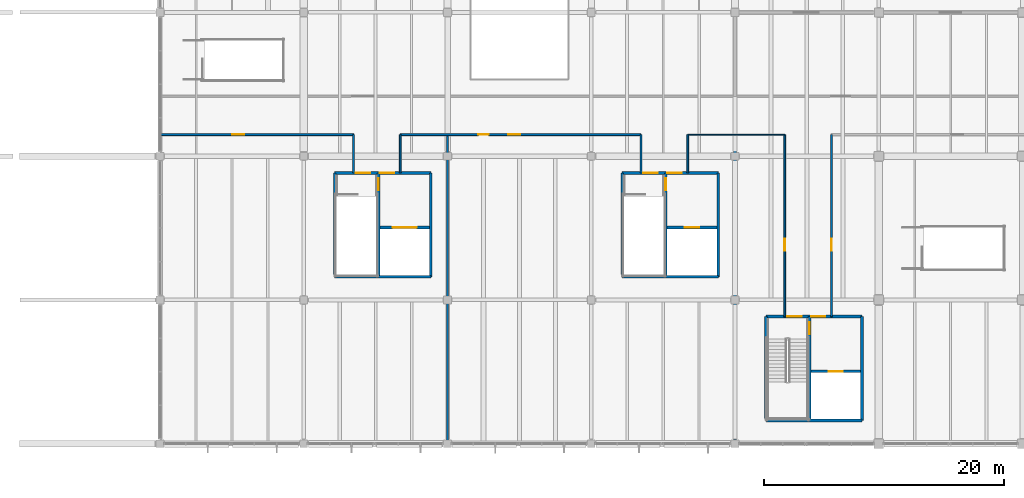
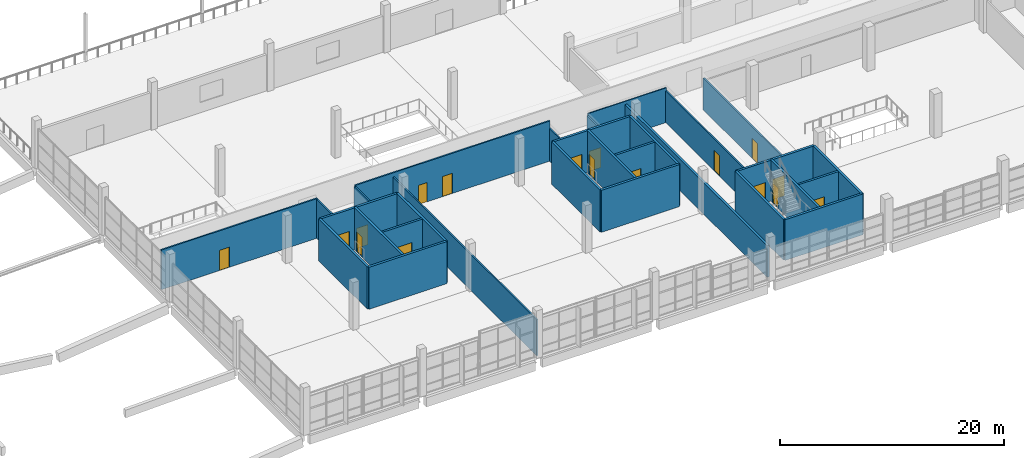
# One storey, part 77 of 112: 29 walls, 17 doors, 17 openings.
"""IFC4 building model written with IfcOpenShell, lengths in metres."""

from ifc_helpers import new_model, si_unit, direction, frame, frame_2d, origin, place, context, subcontext, project, spatial, rectangle, extrude, material, layer, layer_set, type_object, element, fill, save


model = new_model("IFC4")

# Units and contexts
model_context = context("Model", 3, precision=1e-05, world=origin(), true_north=direction((0.0, 1.0)))
body_context = subcontext(model_context, "Body", "Model", "MODEL_VIEW")
ifc_project = project(units=[si_unit("LENGTHUNIT", "METRE"), si_unit("AREAUNIT", "SQUARE_METRE"), si_unit("VOLUMEUNIT", "CUBIC_METRE"), si_unit("PLANEANGLEUNIT", "RADIAN"), si_unit("MASSUNIT", "GRAM", prefix="KILO")], contexts=[model_context])

# Site, building, storey
site_placement = place(None, origin())
site = spatial("IfcSite", under=ifc_project, at=site_placement, CompositionType="ELEMENT")
building_placement = place(site_placement, origin())
building = spatial("IfcBuilding", under=site, at=building_placement, Name="Kamomehara Wholesale Market", CompositionType="ELEMENT")
storey_placement = place(building_placement, frame((0.0, 0.0, 6.60009765625)))
storey = spatial("IfcBuildingStorey", under=building, at=storey_placement, Name="L01", CompositionType="ELEMENT", Elevation=6.60009765625)

# Wall
ifc_material_1 = material(Name="Gypsum board partition")
ifc_layer_1 = layer(ifc_material_1, 0.10009765625)
ifc_layer_set_1 = layer_set([ifc_layer_1], Name="Gypsum board partition")
wall_type_1 = type_object("IfcWallType", Name="IW-PRT-100", PredefinedType="PARTITIONING", material=ifc_layer_set_1)
wall_1_placement = place(storey_placement, frame((104.050048828125, 37.800048828125, 0.0), z_axis=(0.0, 0.0, 1.0), x_axis=(1.0, 0.0, 0.0)))
element("IfcWall", 1, at=wall_1_placement, inside=storey, type_object=wall_type_1, Name="Interior wall IW-PRT-100 318", PredefinedType="PARTITIONING", context=body_context, shape_type="SweptSolid", body=[
    extrude(rectangle(XDim=8.099853515625, YDim=0.10009765625, at=frame_2d((4.0498046875, 0.0))), origin(), (0.0, 0.0, 1.0), 3.782958984375),
])

# Wall, opening, door
ifc_material_2 = material(Name="Gypsum board partition")
ifc_layer_2 = layer(ifc_material_2, 0.14990234375)
ifc_layer_set_2 = layer_set([ifc_layer_2], Name="Gypsum board partition")
wall_type_2 = type_object("IfcWallType", Name="IW-PRT-150", PredefinedType="PARTITIONING", material=ifc_layer_set_2)
wall_2_placement = place(storey_placement, frame((60.0400390625, 37.800048828125, 0.0), z_axis=(0.0, 0.0, 1.0), x_axis=(1.0, 0.0, 0.0)))
wall_2 = element("IfcWall", 2, at=wall_2_placement, inside=storey, type_object=wall_type_2, Name="Interior wall IW-PRT-150 312", PredefinedType="PARTITIONING", context=body_context, shape_type="SweptSolid", body=[
    extrude(rectangle(XDim=16.10986328125, YDim=0.14990234375, at=frame_2d((8.054931640625, 0.0))), origin(), (0.0, 0.0, 1.0), 4.3349609375),
])
opening_1_placement = place(wall_2_placement, frame((6.0, 0.0, 0.0)))
opening_1 = element("IfcOpeningElement", 3, at=opening_1_placement, cuts=wall_2, Name="Opening ID-L01-195", PredefinedType="OPENING", context=body_context, shape_type="SweptSolid", body=[
    extrude(rectangle(XDim=1.0, YDim=2.199951171875, at=frame_2d((0.5, 1.10009765625))), frame((0.0, 0.08984375, 0.0), z_axis=(0.0, -1.0, 0.0), x_axis=(1.0, 0.0, 0.0)), (0.0, 0.0, 1.0), 0.1796875),
])
ifc_material_3 = material(Name="Anodised aluminium 6063-T5", Category="aluminium")
door_type_1 = type_object("IfcDoorType", Name="IDR-RM-1000x2200", OperationType="NOTDEFINED", PredefinedType="DOOR", material=ifc_material_3)
door_1_placement = place(opening_1_placement, origin())
door_1 = element("IfcDoor", 4, at=door_1_placement, inside=storey, type_object=door_type_1, Name="Interior door ID-L01-195", OperationType="SINGLE_SWING_LEFT", OverallHeight=2.199951171875, OverallWidth=1.0, PredefinedType="DOOR", context=body_context, shape_type="SweptSolid", body=[
    extrude(rectangle(XDim=1.0, YDim=2.199951171875, at=frame_2d((0.5, 1.10009765625))), frame((0.0, 0.02490234375, 0.0), z_axis=(0.0, -1.0, 0.0), x_axis=(1.0, 0.0, 0.0)), (0.0, 0.0, 1.0), 0.050048828125),
])
fill(opening_1, door_1)

# Wall
wall_3_placement = place(storey_placement, frame((80.050048828125, 34.60009765625, 0.0), z_axis=(0.0, 0.0, 1.0), x_axis=(0.0, 1.0, 0.0)))
element("IfcWall", 5, at=wall_3_placement, inside=storey, type_object=wall_type_2, Name="Interior wall IW-PRT-150 314", PredefinedType="PARTITIONING", context=body_context, shape_type="SweptSolid", body=[
    extrude(rectangle(XDim=3.199951171875, YDim=0.14990234375, at=frame_2d((1.60009765625, 0.0))), origin(), (0.0, 0.0, 1.0), 4.23486328125),
])

# Wall, openings, doors
wall_4_placement = place(storey_placement, frame((80.050048828125, 37.800048828125, 0.0), z_axis=(0.0, 0.0, 1.0), x_axis=(1.0, 0.0, 0.0)))
wall_4 = element("IfcWall", 6, at=wall_4_placement, inside=storey, type_object=wall_type_2, Name="Interior wall IW-PRT-150 315", PredefinedType="PARTITIONING", context=body_context, shape_type="SweptSolid", body=[
    extrude(rectangle(XDim=20.099853515625, YDim=0.14990234375, at=frame_2d((10.0498046875, 0.0))), origin(), (0.0, 0.0, 1.0), 4.385009765625),
])
opening_2_placement = place(wall_4_placement, frame((6.5, 0.0, 0.0)))
opening_2 = element("IfcOpeningElement", 7, at=opening_2_placement, cuts=wall_4, Name="Opening ID-L01-196", PredefinedType="OPENING", context=body_context, shape_type="SweptSolid", body=[
    extrude(rectangle(XDim=0.89990234375, YDim=2.10009765625, at=frame_2d((0.449951171875, 1.050048828125))), frame((0.0, 0.08984375, 0.0), z_axis=(0.0, -1.0, 0.0), x_axis=(1.0, 0.0, 0.0)), (0.0, 0.0, 1.0), 0.1796875),
])
opening_3_placement = place(wall_4_placement, frame((9.0, 0.0, 0.0)))
opening_3 = element("IfcOpeningElement", 8, at=opening_3_placement, cuts=wall_4, Name="Opening ID-L01-197", PredefinedType="OPENING", context=body_context, shape_type="SweptSolid", body=[
    extrude(rectangle(XDim=1.0, YDim=2.199951171875, at=frame_2d((0.5, 1.10009765625))), frame((0.0, 0.08984375, 0.0), z_axis=(0.0, -1.0, 0.0), x_axis=(1.0, 0.0, 0.0)), (0.0, 0.0, 1.0), 0.1796875),
])
door_2_placement = place(opening_3_placement, origin())
door_2 = element("IfcDoor", 9, at=door_2_placement, inside=storey, type_object=door_type_1, Name="Interior door ID-L01-197", OperationType="SINGLE_SWING_LEFT", OverallHeight=2.199951171875, OverallWidth=1.0, PredefinedType="DOOR", context=body_context, shape_type="SweptSolid", body=[
    extrude(rectangle(XDim=1.0, YDim=2.199951171875, at=frame_2d((0.5, 1.10009765625))), frame((0.0, 0.02490234375, 0.0), z_axis=(0.0, -1.0, 0.0), x_axis=(1.0, 0.0, 0.0)), (0.0, 0.0, 1.0), 0.050048828125),
])
fill(opening_3, door_2)
ifc_material_4 = material(Name="Anodised aluminium 6063-T5", Category="aluminium")
door_type_2 = type_object("IfcDoorType", Name="IDR-RM-900x2100", OperationType="NOTDEFINED", PredefinedType="DOOR", material=ifc_material_4)
door_3_placement = place(opening_2_placement, origin())
door_3 = element("IfcDoor", 10, at=door_3_placement, inside=storey, type_object=door_type_2, Name="Interior door ID-L01-196", OperationType="SINGLE_SWING_RIGHT", OverallHeight=2.10009765625, OverallWidth=0.89990234375, PredefinedType="DOOR", context=body_context, shape_type="SweptSolid", body=[
    extrude(rectangle(XDim=0.89990234375, YDim=2.10009765625, at=frame_2d((0.449951171875, 1.050048828125))), frame((0.0, 0.02490234375, 0.0), z_axis=(0.0, -1.0, 0.0), x_axis=(1.0, 0.0, 0.0)), (0.0, 0.0, 1.0), 0.050048828125),
])
fill(opening_2, door_3)

# Walls
for number, where, z_axis, x_axis, name in (
    (11, (100.14990234375, 34.60009765625, 0.0), (0.0, 0.0, 1.0), (0.0, 1.0, 0.0), "Interior wall IW-PRT-150 316"),
    (12, (104.050048828125, 34.60009765625, 0.0), (0.0, 0.0, 1.0), (0.0, 1.0, 0.0), "Interior wall IW-PRT-150 317"),
):
    element("IfcWall", number, at=place(storey_placement, frame(where, z_axis=z_axis, x_axis=x_axis)), inside=storey, type_object=wall_type_2, Name=name, PredefinedType="PARTITIONING", context=body_context, shape_type="SweptSolid", body=[
        extrude(rectangle(XDim=3.199951171875, YDim=0.14990234375, at=frame_2d((1.60009765625, 0.0))), origin(), (0.0, 0.0, 1.0), 3.573974609375),
    ])

# Wall, opening, door
wall_5_placement = place(storey_placement, frame((112.14990234375, 22.60009765625, 0.0), z_axis=(0.0, 0.0, 1.0), x_axis=(0.0, 1.0, 0.0)))
wall_5 = element("IfcWall", 13, at=wall_5_placement, inside=storey, type_object=wall_type_2, Name="Interior wall IW-PRT-150 319", PredefinedType="PARTITIONING", context=body_context, shape_type="SweptSolid", body=[
    extrude(rectangle(XDim=15.199951171875, YDim=0.14990234375, at=frame_2d((7.60009765625, 0.0))), origin(), (0.0, 0.0, 1.0), 3.462890625),
])
opening_4_placement = place(wall_5_placement, frame((5.5, 0.0, 0.0)))
opening_4 = element("IfcOpeningElement", 14, at=opening_4_placement, cuts=wall_5, Name="Opening ID-L01-198", PredefinedType="OPENING", context=body_context, shape_type="SweptSolid", body=[
    extrude(rectangle(XDim=1.0, YDim=2.199951171875, at=frame_2d((0.5, 1.10009765625))), frame((0.0, 0.08984375, 0.0), z_axis=(0.0, -1.0, 0.0), x_axis=(1.0, 0.0, 0.0)), (0.0, 0.0, 1.0), 0.1796875),
])
door_4_placement = place(opening_4_placement, origin())
door_4 = element("IfcDoor", 15, at=door_4_placement, inside=storey, type_object=door_type_1, Name="Interior door ID-L01-198", OperationType="SINGLE_SWING_RIGHT", OverallHeight=2.199951171875, OverallWidth=1.0, PredefinedType="DOOR", context=body_context, shape_type="SweptSolid", body=[
    extrude(rectangle(XDim=1.0, YDim=2.199951171875, at=frame_2d((0.5, 1.10009765625))), frame((0.0, 0.02490234375, 0.0), z_axis=(0.0, -1.0, 0.0), x_axis=(1.0, 0.0, 0.0)), (0.0, 0.0, 1.0), 0.050048828125),
])
fill(opening_4, door_4)

wall_6_placement = place(storey_placement, frame((116.050048828125, 22.60009765625, 0.0), z_axis=(0.0, 0.0, 1.0), x_axis=(0.0, 1.0, 0.0)))
wall_6 = element("IfcWall", 16, at=wall_6_placement, inside=storey, type_object=wall_type_2, Name="Interior wall IW-PRT-150 320", PredefinedType="PARTITIONING", context=body_context, shape_type="SweptSolid", body=[
    extrude(rectangle(XDim=15.199951171875, YDim=0.14990234375, at=frame_2d((7.60009765625, 0.0))), origin(), (0.0, 0.0, 1.0), 3.462890625),
])
opening_5_placement = place(wall_6_placement, frame((5.5, 0.0, 0.0)))
opening_5 = element("IfcOpeningElement", 17, at=opening_5_placement, cuts=wall_6, Name="Opening ID-L01-199", PredefinedType="OPENING", context=body_context, shape_type="SweptSolid", body=[
    extrude(rectangle(XDim=1.0, YDim=2.199951171875, at=frame_2d((0.5, 1.10009765625))), frame((0.0, 0.08984375, 0.0), z_axis=(0.0, -1.0, 0.0), x_axis=(1.0, 0.0, 0.0)), (0.0, 0.0, 1.0), 0.1796875),
])
door_5_placement = place(opening_5_placement, origin())
door_5 = element("IfcDoor", 18, at=door_5_placement, inside=storey, type_object=door_type_1, Name="Interior door ID-L01-199", OperationType="SINGLE_SWING_LEFT", OverallHeight=2.199951171875, OverallWidth=1.0, PredefinedType="DOOR", context=body_context, shape_type="SweptSolid", body=[
    extrude(rectangle(XDim=1.0, YDim=2.199951171875, at=frame_2d((0.5, 1.10009765625))), frame((0.0, 0.02490234375, 0.0), z_axis=(0.0, -1.0, 0.0), x_axis=(1.0, 0.0, 0.0)), (0.0, 0.0, 1.0), 0.050048828125),
])
fill(opening_5, door_5)

# Walls
wall_7_placement = place(storey_placement, frame((84.0, 12.0400390625, 0.0), z_axis=(0.0, 0.0, 1.0), x_axis=(0.0, 1.0, 0.0)))
element("IfcWall", 19, at=wall_7_placement, inside=storey, type_object=wall_type_2, Name="Interior wall IW-PRT-150 326", PredefinedType="PARTITIONING", context=body_context, shape_type="SweptSolid", body=[
    extrude(rectangle(XDim=25.760009765625, YDim=0.14990234375, at=frame_2d((12.8798828125, 0.0))), origin(), (0.0, 0.0, 1.0), 3.934814453125),
])
ifc_material_5 = material(Name="Gypsum board partition")
ifc_layer_3 = layer(ifc_material_5, 0.175048828125)
ifc_layer_set_3 = layer_set([ifc_layer_3], Name="Gypsum board partition")
wall_type_3 = type_object("IfcWallType", Name="IW-PRT-175", PredefinedType="PARTITIONING", material=ifc_layer_set_3)
wall_8_placement = place(storey_placement, frame((76.14990234375, 34.60009765625, 0.0), z_axis=(0.0, 0.0, 1.0), x_axis=(0.0, 1.0, 0.0)))
element("IfcWall", 20, at=wall_8_placement, inside=storey, type_object=wall_type_3, Name="Interior wall IW-PRT-175 313", PredefinedType="PARTITIONING", context=body_context, shape_type="SweptSolid", body=[
    extrude(rectangle(XDim=3.199951171875, YDim=0.175048828125, at=frame_2d((1.60009765625, 0.0))), origin(), (0.0, 0.0, 1.0), 4.23486328125),
])

# Wall, opening, door
ifc_material_6 = material(Name="Concrete Fc36 (C35/45)", Category="concrete")
ifc_layer_4 = layer(ifc_material_6, 0.219970703125)
ifc_layer_set_4 = layer_set([ifc_layer_4], Name="Concrete Fc36 (C35/45)")
wall_type_4 = type_object("IfcWallType", Name="IW-SHR-220", PredefinedType="SHEAR", material=ifc_layer_set_4)
wall_9_placement = place(storey_placement, frame((78.340087890625, 30.0400390625, 0.0), z_axis=(0.0, 0.0, 1.0), x_axis=(1.0, 0.0, 0.0)))
wall_9 = element("IfcWall", 21, at=wall_9_placement, inside=storey, type_object=wall_type_4, Name="Interior wall IW-SHR-220 72", PredefinedType="SHEAR", context=body_context, shape_type="SweptSolid", body=[
    extrude(rectangle(XDim=4.139892578125, YDim=0.219970703125, at=frame_2d((2.06982421875, 0.0))), origin(), (0.0, 0.0, 1.0), 4.58984375),
])
opening_6_placement = place(wall_9_placement, frame((1.070068359375, 0.0, 0.0)))
opening_6 = element("IfcOpeningElement", 22, at=opening_6_placement, cuts=wall_9, Name="Opening LD-LF-04-L01", PredefinedType="OPENING", context=body_context, shape_type="SweptSolid", body=[
    extrude(rectangle(XDim=2.0, YDim=2.39990234375, at=frame_2d((1.0, 1.199951171875))), frame((0.0, 0.125, 0.0), z_axis=(0.0, -1.0, 0.0), x_axis=(1.0, 0.0, 0.0)), (0.0, 0.0, 1.0), 0.249755859375),
])
ifc_material_7 = material(Name="Steel SN400B", Category="steel")
door_type_3 = type_object("IfcDoorType", Name="LDR-GDS-2000x2400", OperationType="DOUBLE_DOOR_SLIDING", PredefinedType="DOOR", material=ifc_material_7)
door_6_placement = place(opening_6_placement, origin())
door_6 = element("IfcDoor", 23, at=door_6_placement, inside=storey, type_object=door_type_3, Name="Lift sliding landing door LD-LF-04-L01", OperationType="DOUBLE_DOOR_SLIDING", OverallHeight=2.39990234375, OverallWidth=2.0, PredefinedType="DOOR", context=body_context, shape_type="SweptSolid", body=[
    extrude(rectangle(XDim=2.0, YDim=2.39990234375, at=frame_2d((1.0, 1.199951171875))), frame((0.0, 0.02490234375, 0.0), z_axis=(0.0, -1.0, 0.0), x_axis=(1.0, 0.0, 0.0)), (0.0, 0.0, 1.0), 0.050048828125),
])
fill(opening_6, door_6)

wall_10_placement = place(storey_placement, frame((102.340087890625, 30.0400390625, 0.0), z_axis=(0.0, 0.0, 1.0), x_axis=(1.0, 0.0, 0.0)))
wall_10 = element("IfcWall", 24, at=wall_10_placement, inside=storey, type_object=wall_type_4, Name="Interior wall IW-SHR-220 84", PredefinedType="SHEAR", context=body_context, shape_type="SweptSolid", body=[
    extrude(rectangle(XDim=4.139892578125, YDim=0.219970703125, at=frame_2d((2.06982421875, 0.0))), origin(), (0.0, 0.0, 1.0), 4.58984375),
])
opening_7_placement = place(wall_10_placement, frame((1.469970703125, 0.0, 0.0)))
opening_7 = element("IfcOpeningElement", 25, at=opening_7_placement, cuts=wall_10, Name="Opening LD-LP-02-L01", PredefinedType="OPENING", context=body_context, shape_type="SweptSolid", body=[
    extrude(rectangle(XDim=1.199951171875, YDim=2.199951171875, at=frame_2d((0.60009765625, 1.10009765625))), frame((0.0, 0.125, 0.0), z_axis=(0.0, -1.0, 0.0), x_axis=(1.0, 0.0, 0.0)), (0.0, 0.0, 1.0), 0.249755859375),
])
ifc_material_8 = material(Name="Steel SN400B", Category="steel")
door_type_4 = type_object("IfcDoorType", Name="LDR-PAX-1200x2200", OperationType="DOUBLE_DOOR_SLIDING", PredefinedType="DOOR", material=ifc_material_8)
door_7_placement = place(opening_7_placement, origin())
door_7 = element("IfcDoor", 26, at=door_7_placement, inside=storey, type_object=door_type_4, Name="Lift sliding landing door LD-LP-02-L01", OperationType="DOUBLE_DOOR_SLIDING", OverallHeight=2.199951171875, OverallWidth=1.199951171875, PredefinedType="DOOR", context=body_context, shape_type="SweptSolid", body=[
    extrude(rectangle(XDim=1.199951171875, YDim=2.199951171875, at=frame_2d((0.60009765625, 1.10009765625))), frame((0.0, 0.02490234375, 0.0), z_axis=(0.0, -1.0, 0.0), x_axis=(1.0, 0.0, 0.0)), (0.0, 0.0, 1.0), 0.050048828125),
])
fill(opening_7, door_7)

wall_11_placement = place(storey_placement, frame((114.340087890625, 18.0400390625, 0.0), z_axis=(0.0, 0.0, 1.0), x_axis=(1.0, 0.0, 0.0)))
wall_11 = element("IfcWall", 27, at=wall_11_placement, inside=storey, type_object=wall_type_4, Name="Interior wall IW-SHR-220 96", PredefinedType="SHEAR", context=body_context, shape_type="SweptSolid", body=[
    extrude(rectangle(XDim=4.139892578125, YDim=0.219970703125, at=frame_2d((2.06982421875, 0.0))), origin(), (0.0, 0.0, 1.0), 4.449951171875),
])
opening_8_placement = place(wall_11_placement, frame((1.469970703125, 0.0, 0.0)))
opening_8 = element("IfcOpeningElement", 28, at=opening_8_placement, cuts=wall_11, Name="Opening LD-LP-03-L01", PredefinedType="OPENING", context=body_context, shape_type="SweptSolid", body=[
    extrude(rectangle(XDim=1.199951171875, YDim=2.199951171875, at=frame_2d((0.60009765625, 1.10009765625))), frame((0.0, 0.125, 0.0), z_axis=(0.0, -1.0, 0.0), x_axis=(1.0, 0.0, 0.0)), (0.0, 0.0, 1.0), 0.249755859375),
])
door_8_placement = place(opening_8_placement, origin())
door_8 = element("IfcDoor", 29, at=door_8_placement, inside=storey, type_object=door_type_4, Name="Lift sliding landing door LD-LP-03-L01", OperationType="DOUBLE_DOOR_SLIDING", OverallHeight=2.199951171875, OverallWidth=1.199951171875, PredefinedType="DOOR", context=body_context, shape_type="SweptSolid", body=[
    extrude(rectangle(XDim=1.199951171875, YDim=2.199951171875, at=frame_2d((0.60009765625, 1.10009765625))), frame((0.0, 0.02490234375, 0.0), z_axis=(0.0, -1.0, 0.0), x_axis=(1.0, 0.0, 0.0)), (0.0, 0.0, 1.0), 0.050048828125),
])
fill(opening_8, door_8)

# Walls
ifc_material_9 = material(Name="Concrete Fc36 (C35/45)", Category="concrete")
ifc_layer_5 = layer(ifc_material_9, 0.239990234375)
ifc_layer_set_5 = layer_set([ifc_layer_5], Name="Concrete Fc36 (C35/45)")
wall_type_5 = type_object("IfcWallType", Name="IW-SHR-240", PredefinedType="SHEAR", material=ifc_layer_set_5)
wall_12_placement = place(storey_placement, frame((74.580078125, 34.60009765625, 0.0), z_axis=(0.0, 0.0, 1.0), x_axis=(0.0, -1.0, 0.0)))
element("IfcWall", 30, at=wall_12_placement, inside=storey, type_object=wall_type_5, Name="Interior wall IW-SHR-240 67", PredefinedType="SHEAR", context=body_context, shape_type="SweptSolid", body=[
    extrude(rectangle(XDim=8.670166015625, YDim=0.239990234375, at=frame_2d((4.3349609375, 0.0))), origin(), (0.0, 0.0, 1.0), 4.58984375),
])
wall_13_placement = place(storey_placement, frame((74.580078125, 25.929931640625, 0.0), z_axis=(0.0, 0.0, 1.0), x_axis=(1.0, 0.0, 0.0)))
element("IfcWall", 31, at=wall_13_placement, inside=storey, type_object=wall_type_5, Name="Interior wall IW-SHR-240 68", PredefinedType="SHEAR", context=body_context, shape_type="SweptSolid", body=[
    extrude(rectangle(XDim=8.02001953125, YDim=0.239990234375, at=frame_2d((4.010009765625, 0.0))), origin(), (0.0, 0.0, 1.0), 4.58984375),
])

# Wall, opening, door
wall_14_placement = place(storey_placement, frame((78.219970703125, 25.929931640625, 0.0), z_axis=(0.0, 0.0, 1.0), x_axis=(0.0, 1.0, 0.0)))
wall_14 = element("IfcWall", 32, at=wall_14_placement, inside=storey, type_object=wall_type_5, Name="Interior wall IW-SHR-240 69", PredefinedType="SHEAR", context=body_context, shape_type="SweptSolid", body=[
    extrude(rectangle(XDim=8.670166015625, YDim=0.239990234375, at=frame_2d((4.3349609375, 0.0))), origin(), (0.0, 0.0, 1.0), 4.58984375),
])
opening_9_placement = place(wall_14_placement, frame((7.219970703125, 0.0, 0.0)))
opening_9 = element("IfcOpeningElement", 33, at=opening_9_placement, cuts=wall_14, Name="Opening FD-L01-C5I", PredefinedType="OPENING", context=body_context, shape_type="SweptSolid", body=[
    extrude(rectangle(XDim=1.0, YDim=2.199951171875, at=frame_2d((0.5, 1.10009765625))), frame((0.0, 0.134765625, 0.0), z_axis=(0.0, -1.0, 0.0), x_axis=(1.0, 0.0, 0.0)), (0.0, 0.0, 1.0), 0.269775390625),
])
door_9_placement = place(opening_9_placement, origin())
door_9 = element("IfcDoor", 34, at=door_9_placement, inside=storey, type_object=door_type_1, Name="Core lobby-stair fire door FD-L01-C5I", OperationType="SINGLE_SWING_LEFT", OverallHeight=2.199951171875, OverallWidth=1.0, PredefinedType="DOOR", context=body_context, shape_type="SweptSolid", body=[
    extrude(rectangle(XDim=1.0, YDim=2.199951171875, at=frame_2d((0.5, 1.10009765625))), frame((0.0, 0.02490234375, 0.0), z_axis=(0.0, -1.0, 0.0), x_axis=(1.0, 0.0, 0.0)), (0.0, 0.0, 1.0), 0.050048828125),
])
fill(opening_9, door_9)

# Wall
wall_15_placement = place(storey_placement, frame((82.60009765625, 25.929931640625, 0.0), z_axis=(0.0, 0.0, 1.0), x_axis=(0.0, 1.0, 0.0)))
element("IfcWall", 35, at=wall_15_placement, inside=storey, type_object=wall_type_5, Name="Interior wall IW-SHR-240 70", PredefinedType="SHEAR", context=body_context, shape_type="SweptSolid", body=[
    extrude(rectangle(XDim=8.670166015625, YDim=0.239990234375, at=frame_2d((4.3349609375, 0.0))), origin(), (0.0, 0.0, 1.0), 4.58984375),
])

# Wall, openings, doors
wall_16_placement = place(storey_placement, frame((74.580078125, 34.60009765625, 0.0), z_axis=(0.0, 0.0, 1.0), x_axis=(1.0, 0.0, 0.0)))
wall_16 = element("IfcWall", 36, at=wall_16_placement, inside=storey, type_object=wall_type_5, Name="Interior wall IW-SHR-240 71", PredefinedType="SHEAR", context=body_context, shape_type="SweptSolid", body=[
    extrude(rectangle(XDim=8.02001953125, YDim=0.239990234375, at=frame_2d((4.010009765625, 0.0))), origin(), (0.0, 0.0, 1.0), 4.58984375),
])
opening_10_placement = place(wall_16_placement, frame((1.77001953125, 0.0, 0.0)))
opening_10 = element("IfcOpeningElement", 37, at=opening_10_placement, cuts=wall_16, Name="Opening FD-L01-C5S", PredefinedType="OPENING", context=body_context, shape_type="SweptSolid", body=[
    extrude(rectangle(XDim=1.199951171875, YDim=2.199951171875, at=frame_2d((0.60009765625, 1.10009765625))), frame((0.0, 0.134765625, 0.0), z_axis=(0.0, -1.0, 0.0), x_axis=(1.0, 0.0, 0.0)), (0.0, 0.0, 1.0), 0.269775390625),
])
opening_11_placement = place(wall_16_placement, frame((3.77001953125, 0.0, 0.0)))
opening_11 = element("IfcOpeningElement", 38, at=opening_11_placement, cuts=wall_16, Name="Opening FD-L01-C5L", PredefinedType="OPENING", context=body_context, shape_type="SweptSolid", body=[
    extrude(rectangle(XDim=1.199951171875, YDim=2.199951171875, at=frame_2d((0.60009765625, 1.10009765625))), frame((0.0, 0.134765625, 0.0), z_axis=(0.0, -1.0, 0.0), x_axis=(1.0, 0.0, 0.0)), (0.0, 0.0, 1.0), 0.269775390625),
])
ifc_material_10 = material(Name="Steel SN400B", Category="steel")
door_type_5 = type_object("IfcDoorType", Name="IDR-FD-1200x2200", OperationType="NOTDEFINED", PredefinedType="DOOR", material=ifc_material_10)
door_10_placement = place(opening_10_placement, origin())
door_10 = element("IfcDoor", 39, at=door_10_placement, inside=storey, type_object=door_type_5, Name="Stair fire door FD-L01-C5S", OperationType="SINGLE_SWING_RIGHT", OverallHeight=2.199951171875, OverallWidth=1.199951171875, PredefinedType="DOOR", context=body_context, shape_type="SweptSolid", body=[
    extrude(rectangle(XDim=1.199951171875, YDim=2.199951171875, at=frame_2d((0.60009765625, 1.10009765625))), frame((0.0, 0.02490234375, 0.0), z_axis=(0.0, -1.0, 0.0), x_axis=(1.0, 0.0, 0.0)), (0.0, 0.0, 1.0), 0.050048828125),
])
fill(opening_10, door_10)
door_11_placement = place(opening_11_placement, origin())
door_11 = element("IfcDoor", 40, at=door_11_placement, inside=storey, type_object=door_type_5, Name="Lift lobby fire door FD-L01-C5L", OperationType="SINGLE_SWING_LEFT", OverallHeight=2.199951171875, OverallWidth=1.199951171875, PredefinedType="DOOR", context=body_context, shape_type="SweptSolid", body=[
    extrude(rectangle(XDim=1.199951171875, YDim=2.199951171875, at=frame_2d((0.60009765625, 1.10009765625))), frame((0.0, 0.02490234375, 0.0), z_axis=(0.0, -1.0, 0.0), x_axis=(1.0, 0.0, 0.0)), (0.0, 0.0, 1.0), 0.050048828125),
])
fill(opening_11, door_11)

# Walls
wall_17_placement = place(storey_placement, frame((98.580078125, 34.60009765625, 0.0), z_axis=(0.0, 0.0, 1.0), x_axis=(0.0, -1.0, 0.0)))
element("IfcWall", 41, at=wall_17_placement, inside=storey, type_object=wall_type_5, Name="Interior wall IW-SHR-240 79", PredefinedType="SHEAR", context=body_context, shape_type="SweptSolid", body=[
    extrude(rectangle(XDim=8.670166015625, YDim=0.239990234375, at=frame_2d((4.3349609375, 0.0))), origin(), (0.0, 0.0, 1.0), 4.58984375),
])
wall_18_placement = place(storey_placement, frame((98.580078125, 25.929931640625, 0.0), z_axis=(0.0, 0.0, 1.0), x_axis=(1.0, 0.0, 0.0)))
element("IfcWall", 42, at=wall_18_placement, inside=storey, type_object=wall_type_5, Name="Interior wall IW-SHR-240 80", PredefinedType="SHEAR", context=body_context, shape_type="SweptSolid", body=[
    extrude(rectangle(XDim=8.02001953125, YDim=0.239990234375, at=frame_2d((4.010009765625, 0.0))), origin(), (0.0, 0.0, 1.0), 4.58984375),
])

# Wall, opening, door
wall_19_placement = place(storey_placement, frame((102.219970703125, 25.929931640625, 0.0), z_axis=(0.0, 0.0, 1.0), x_axis=(0.0, 1.0, 0.0)))
wall_19 = element("IfcWall", 43, at=wall_19_placement, inside=storey, type_object=wall_type_5, Name="Interior wall IW-SHR-240 81", PredefinedType="SHEAR", context=body_context, shape_type="SweptSolid", body=[
    extrude(rectangle(XDim=8.670166015625, YDim=0.239990234375, at=frame_2d((4.3349609375, 0.0))), origin(), (0.0, 0.0, 1.0), 4.58984375),
])
opening_12_placement = place(wall_19_placement, frame((7.219970703125, 0.0, 0.0)))
opening_12 = element("IfcOpeningElement", 44, at=opening_12_placement, cuts=wall_19, Name="Opening FD-L01-C6I", PredefinedType="OPENING", context=body_context, shape_type="SweptSolid", body=[
    extrude(rectangle(XDim=1.0, YDim=2.199951171875, at=frame_2d((0.5, 1.10009765625))), frame((0.0, 0.134765625, 0.0), z_axis=(0.0, -1.0, 0.0), x_axis=(1.0, 0.0, 0.0)), (0.0, 0.0, 1.0), 0.269775390625),
])
door_12_placement = place(opening_12_placement, origin())
door_12 = element("IfcDoor", 45, at=door_12_placement, inside=storey, type_object=door_type_1, Name="Core lobby-stair fire door FD-L01-C6I", OperationType="SINGLE_SWING_RIGHT", OverallHeight=2.199951171875, OverallWidth=1.0, PredefinedType="DOOR", context=body_context, shape_type="SweptSolid", body=[
    extrude(rectangle(XDim=1.0, YDim=2.199951171875, at=frame_2d((0.5, 1.10009765625))), frame((0.0, 0.02490234375, 0.0), z_axis=(0.0, -1.0, 0.0), x_axis=(1.0, 0.0, 0.0)), (0.0, 0.0, 1.0), 0.050048828125),
])
fill(opening_12, door_12)

# Wall
wall_20_placement = place(storey_placement, frame((106.60009765625, 25.929931640625, 0.0), z_axis=(0.0, 0.0, 1.0), x_axis=(0.0, 1.0, 0.0)))
element("IfcWall", 46, at=wall_20_placement, inside=storey, type_object=wall_type_5, Name="Interior wall IW-SHR-240 82", PredefinedType="SHEAR", context=body_context, shape_type="SweptSolid", body=[
    extrude(rectangle(XDim=8.670166015625, YDim=0.239990234375, at=frame_2d((4.3349609375, 0.0))), origin(), (0.0, 0.0, 1.0), 4.58984375),
])

# Wall, openings, doors
wall_21_placement = place(storey_placement, frame((98.580078125, 34.60009765625, 0.0), z_axis=(0.0, 0.0, 1.0), x_axis=(1.0, 0.0, 0.0)))
wall_21 = element("IfcWall", 47, at=wall_21_placement, inside=storey, type_object=wall_type_5, Name="Interior wall IW-SHR-240 83", PredefinedType="SHEAR", context=body_context, shape_type="SweptSolid", body=[
    extrude(rectangle(XDim=8.02001953125, YDim=0.239990234375, at=frame_2d((4.010009765625, 0.0))), origin(), (0.0, 0.0, 1.0), 4.58984375),
])
opening_13_placement = place(wall_21_placement, frame((1.77001953125, 0.0, 0.0)))
opening_13 = element("IfcOpeningElement", 48, at=opening_13_placement, cuts=wall_21, Name="Opening FD-L01-C6S", PredefinedType="OPENING", context=body_context, shape_type="SweptSolid", body=[
    extrude(rectangle(XDim=1.199951171875, YDim=2.199951171875, at=frame_2d((0.60009765625, 1.10009765625))), frame((0.0, 0.134765625, 0.0), z_axis=(0.0, -1.0, 0.0), x_axis=(1.0, 0.0, 0.0)), (0.0, 0.0, 1.0), 0.269775390625),
])
opening_14_placement = place(wall_21_placement, frame((3.77001953125, 0.0, 0.0)))
opening_14 = element("IfcOpeningElement", 49, at=opening_14_placement, cuts=wall_21, Name="Opening FD-L01-C6L", PredefinedType="OPENING", context=body_context, shape_type="SweptSolid", body=[
    extrude(rectangle(XDim=1.199951171875, YDim=2.199951171875, at=frame_2d((0.60009765625, 1.10009765625))), frame((0.0, 0.134765625, 0.0), z_axis=(0.0, -1.0, 0.0), x_axis=(1.0, 0.0, 0.0)), (0.0, 0.0, 1.0), 0.269775390625),
])
door_13_placement = place(opening_13_placement, origin())
door_13 = element("IfcDoor", 50, at=door_13_placement, inside=storey, type_object=door_type_5, Name="Stair fire door FD-L01-C6S", OperationType="SINGLE_SWING_LEFT", OverallHeight=2.199951171875, OverallWidth=1.199951171875, PredefinedType="DOOR", context=body_context, shape_type="SweptSolid", body=[
    extrude(rectangle(XDim=1.199951171875, YDim=2.199951171875, at=frame_2d((0.60009765625, 1.10009765625))), frame((0.0, 0.02490234375, 0.0), z_axis=(0.0, -1.0, 0.0), x_axis=(1.0, 0.0, 0.0)), (0.0, 0.0, 1.0), 0.050048828125),
])
fill(opening_13, door_13)
door_14_placement = place(opening_14_placement, origin())
door_14 = element("IfcDoor", 51, at=door_14_placement, inside=storey, type_object=door_type_5, Name="Lift lobby fire door FD-L01-C6L", OperationType="SINGLE_SWING_RIGHT", OverallHeight=2.199951171875, OverallWidth=1.199951171875, PredefinedType="DOOR", context=body_context, shape_type="SweptSolid", body=[
    extrude(rectangle(XDim=1.199951171875, YDim=2.199951171875, at=frame_2d((0.60009765625, 1.10009765625))), frame((0.0, 0.02490234375, 0.0), z_axis=(0.0, -1.0, 0.0), x_axis=(1.0, 0.0, 0.0)), (0.0, 0.0, 1.0), 0.050048828125),
])
fill(opening_14, door_14)

# Walls
wall_22_placement = place(storey_placement, frame((110.580078125, 22.60009765625, 0.0), z_axis=(0.0, 0.0, 1.0), x_axis=(0.0, -1.0, 0.0)))
element("IfcWall", 52, at=wall_22_placement, inside=storey, type_object=wall_type_5, Name="Interior wall IW-SHR-240 91", PredefinedType="SHEAR", context=body_context, shape_type="SweptSolid", body=[
    extrude(rectangle(XDim=8.670166015625, YDim=0.239990234375, at=frame_2d((4.3349609375, 0.0))), origin(), (0.0, 0.0, 1.0), 4.449951171875),
])
wall_23_placement = place(storey_placement, frame((110.580078125, 13.929931640625, 0.0), z_axis=(0.0, 0.0, 1.0), x_axis=(1.0, 0.0, 0.0)))
element("IfcWall", 53, at=wall_23_placement, inside=storey, type_object=wall_type_5, Name="Interior wall IW-SHR-240 92", PredefinedType="SHEAR", context=body_context, shape_type="SweptSolid", body=[
    extrude(rectangle(XDim=8.02001953125, YDim=0.239990234375, at=frame_2d((4.010009765625, 0.0))), origin(), (0.0, 0.0, 1.0), 4.449951171875),
])

# Wall, opening, door
wall_24_placement = place(storey_placement, frame((114.219970703125, 13.929931640625, 0.0), z_axis=(0.0, 0.0, 1.0), x_axis=(0.0, 1.0, 0.0)))
wall_24 = element("IfcWall", 54, at=wall_24_placement, inside=storey, type_object=wall_type_5, Name="Interior wall IW-SHR-240 93", PredefinedType="SHEAR", context=body_context, shape_type="SweptSolid", body=[
    extrude(rectangle(XDim=8.670166015625, YDim=0.239990234375, at=frame_2d((4.3349609375, 0.0))), origin(), (0.0, 0.0, 1.0), 4.449951171875),
])
opening_15_placement = place(wall_24_placement, frame((7.219970703125, 0.0, 0.0)))
opening_15 = element("IfcOpeningElement", 55, at=opening_15_placement, cuts=wall_24, Name="Opening FD-L01-C7I", PredefinedType="OPENING", context=body_context, shape_type="SweptSolid", body=[
    extrude(rectangle(XDim=1.0, YDim=2.199951171875, at=frame_2d((0.5, 1.10009765625))), frame((0.0, 0.134765625, 0.0), z_axis=(0.0, -1.0, 0.0), x_axis=(1.0, 0.0, 0.0)), (0.0, 0.0, 1.0), 0.269775390625),
])
door_15_placement = place(opening_15_placement, origin())
door_15 = element("IfcDoor", 56, at=door_15_placement, inside=storey, type_object=door_type_1, Name="Core lobby-stair fire door FD-L01-C7I", OperationType="SINGLE_SWING_LEFT", OverallHeight=2.199951171875, OverallWidth=1.0, PredefinedType="DOOR", context=body_context, shape_type="SweptSolid", body=[
    extrude(rectangle(XDim=1.0, YDim=2.199951171875, at=frame_2d((0.5, 1.10009765625))), frame((0.0, 0.02490234375, 0.0), z_axis=(0.0, -1.0, 0.0), x_axis=(1.0, 0.0, 0.0)), (0.0, 0.0, 1.0), 0.050048828125),
])
fill(opening_15, door_15)

# Wall
wall_25_placement = place(storey_placement, frame((118.60009765625, 13.929931640625, 0.0), z_axis=(0.0, 0.0, 1.0), x_axis=(0.0, 1.0, 0.0)))
element("IfcWall", 57, at=wall_25_placement, inside=storey, type_object=wall_type_5, Name="Interior wall IW-SHR-240 94", PredefinedType="SHEAR", context=body_context, shape_type="SweptSolid", body=[
    extrude(rectangle(XDim=8.670166015625, YDim=0.239990234375, at=frame_2d((4.3349609375, 0.0))), origin(), (0.0, 0.0, 1.0), 4.449951171875),
])

# Wall, openings, doors
wall_26_placement = place(storey_placement, frame((110.580078125, 22.60009765625, 0.0), z_axis=(0.0, 0.0, 1.0), x_axis=(1.0, 0.0, 0.0)))
wall_26 = element("IfcWall", 58, at=wall_26_placement, inside=storey, type_object=wall_type_5, Name="Interior wall IW-SHR-240 95", PredefinedType="SHEAR", context=body_context, shape_type="SweptSolid", body=[
    extrude(rectangle(XDim=8.02001953125, YDim=0.239990234375, at=frame_2d((4.010009765625, 0.0))), origin(), (0.0, 0.0, 1.0), 4.449951171875),
])
opening_16_placement = place(wall_26_placement, frame((1.77001953125, 0.0, 0.0)))
opening_16 = element("IfcOpeningElement", 59, at=opening_16_placement, cuts=wall_26, Name="Opening FD-L01-C7S", PredefinedType="OPENING", context=body_context, shape_type="SweptSolid", body=[
    extrude(rectangle(XDim=1.199951171875, YDim=2.199951171875, at=frame_2d((0.60009765625, 1.10009765625))), frame((0.0, 0.134765625, 0.0), z_axis=(0.0, -1.0, 0.0), x_axis=(1.0, 0.0, 0.0)), (0.0, 0.0, 1.0), 0.269775390625),
])
opening_17_placement = place(wall_26_placement, frame((3.77001953125, 0.0, 0.0)))
opening_17 = element("IfcOpeningElement", 60, at=opening_17_placement, cuts=wall_26, Name="Opening FD-L01-C7L", PredefinedType="OPENING", context=body_context, shape_type="SweptSolid", body=[
    extrude(rectangle(XDim=1.199951171875, YDim=2.199951171875, at=frame_2d((0.60009765625, 1.10009765625))), frame((0.0, 0.134765625, 0.0), z_axis=(0.0, -1.0, 0.0), x_axis=(1.0, 0.0, 0.0)), (0.0, 0.0, 1.0), 0.269775390625),
])
door_16_placement = place(opening_16_placement, origin())
door_16 = element("IfcDoor", 61, at=door_16_placement, inside=storey, type_object=door_type_5, Name="Stair fire door FD-L01-C7S", OperationType="SINGLE_SWING_RIGHT", OverallHeight=2.199951171875, OverallWidth=1.199951171875, PredefinedType="DOOR", context=body_context, shape_type="SweptSolid", body=[
    extrude(rectangle(XDim=1.199951171875, YDim=2.199951171875, at=frame_2d((0.60009765625, 1.10009765625))), frame((0.0, 0.02490234375, 0.0), z_axis=(0.0, -1.0, 0.0), x_axis=(1.0, 0.0, 0.0)), (0.0, 0.0, 1.0), 0.050048828125),
])
fill(opening_16, door_16)
door_17_placement = place(opening_17_placement, origin())
door_17 = element("IfcDoor", 62, at=door_17_placement, inside=storey, type_object=door_type_5, Name="Lift lobby fire door FD-L01-C7L", OperationType="SINGLE_SWING_LEFT", OverallHeight=2.199951171875, OverallWidth=1.199951171875, PredefinedType="DOOR", context=body_context, shape_type="SweptSolid", body=[
    extrude(rectangle(XDim=1.199951171875, YDim=2.199951171875, at=frame_2d((0.60009765625, 1.10009765625))), frame((0.0, 0.02490234375, 0.0), z_axis=(0.0, -1.0, 0.0), x_axis=(1.0, 0.0, 0.0)), (0.0, 0.0, 1.0), 0.050048828125),
])
fill(opening_17, door_17)

# Wall
wall_27_placement = place(storey_placement, frame((108.0, 12.35009765625, 0.0), z_axis=(0.0, 0.0, 1.0), x_axis=(0.0, 1.0, 0.0)))
element("IfcWall", 63, at=wall_27_placement, inside=storey, type_object=wall_type_5, Name="Interior wall IW-SHR-240 327", PredefinedType="SHEAR", context=body_context, shape_type="SweptSolid", body=[
    extrude(rectangle(XDim=25.449951171875, YDim=0.239990234375, at=frame_2d((12.72509765625, 0.0))), origin(), (0.0, 0.0, 1.0), 3.432861328125),
])

save(model, "model.ifc")
